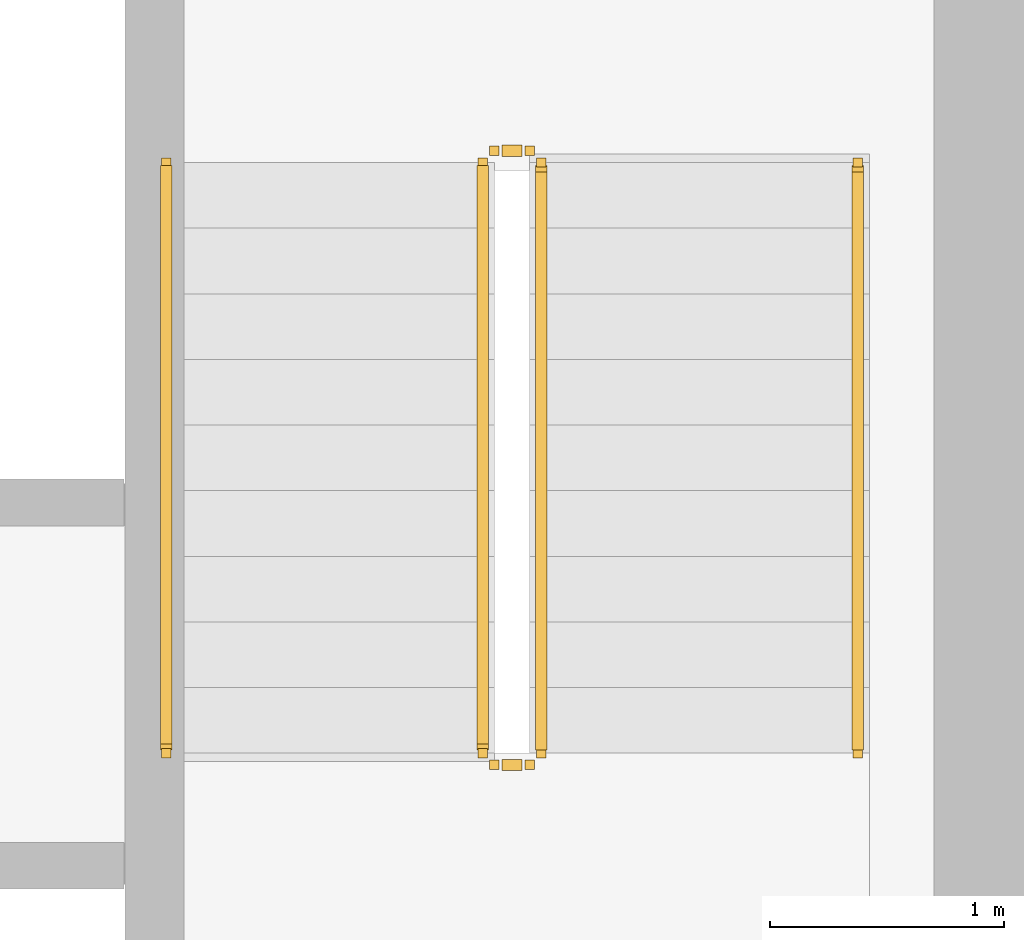
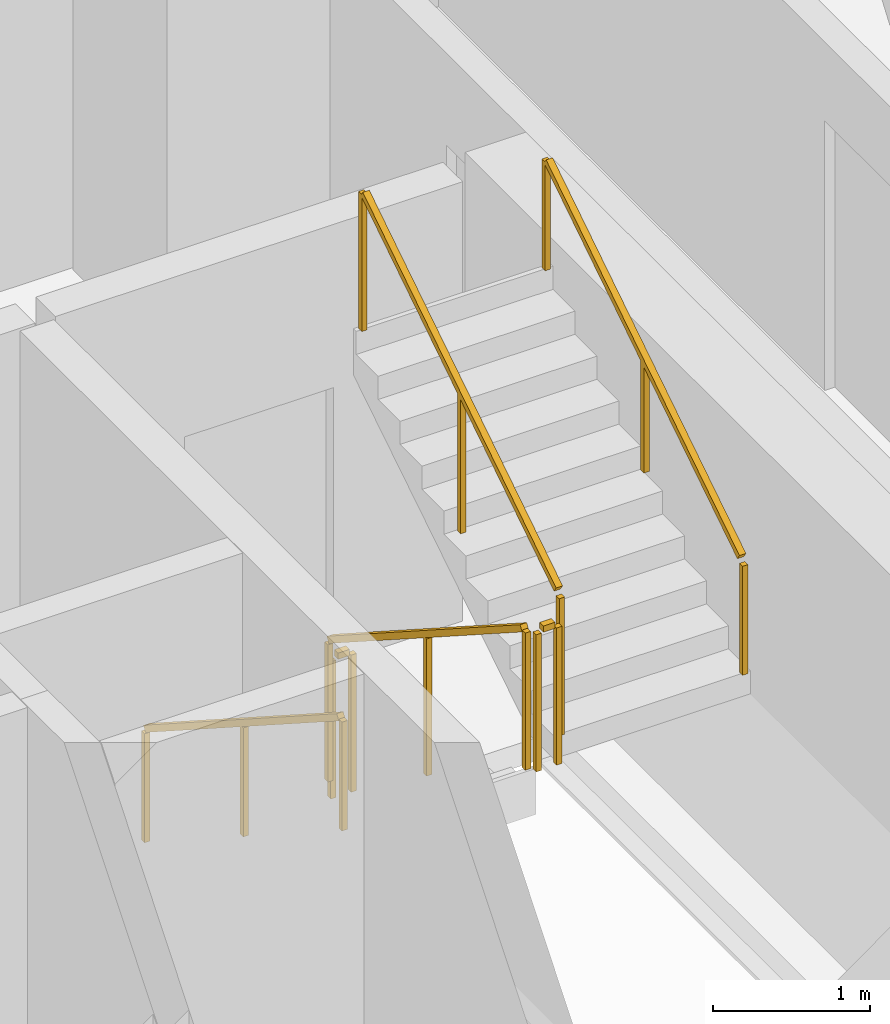
# One storey, part 16 of 17: 6 railings.
"""IFC4 building model written with IfcOpenShell, lengths in metres."""

import ifcopenshell
import ifcopenshell.guid

model = None  # the IFC model being written
_history = None  # IfcOwnerHistory: only IFC2X3 demands one
_inside = {}  # id of a spatial element -> (the spatial element, [elements in it])
_under = {}  # id of a project, library or spatial element -> (it, [spatial elements below it])
_declared = {}  # id of a project -> (the project, [libraries it declares])
_typed = {}  # id of a type object -> (the type object, [elements of that type])
_made_of = {}  # id of a material, layer set ... -> (it, [elements and type objects made of it])


def new_model(schema):
    """Start an empty IFC model of exactly this schema.

    Asked for "IFC4X3", IfcOpenShell would pick the latest addendum, in which some entities
    have other attributes; the version numbers below select the first issue.
    IFC2X3 requires an IfcOwnerHistory on every rooted entity: one is made here for all.
    """
    global model, _history
    if schema == "IFC4X3":
        model = ifcopenshell.file(schema_version=(4, 3, 0, 0))
    else:
        model = ifcopenshell.file(schema=schema)
    _inside.clear()
    _under.clear()
    _declared.clear()
    _typed.clear()
    _made_of.clear()
    _history = None
    if model.schema == "IFC2X3":
        org = make("IfcOrganization", Name="unknown")
        user = make(
            "IfcPersonAndOrganization",
            ThePerson=make("IfcPerson", FamilyName="unknown"),
            TheOrganization=org,
        )
        app = make(
            "IfcApplication",
            ApplicationDeveloper=org,
            Version="unknown",
            ApplicationFullName="unknown",
            ApplicationIdentifier="unknown",
        )
        _history = make(
            "IfcOwnerHistory",
            OwningUser=user,
            OwningApplication=app,
            ChangeAction="ADDED",
            CreationDate=0,
        )
    return model


def make(cls, **values):
    """One entity of the class cls with the attributes given. An attribute that is None is left unset."""
    return model.create_entity(
        cls, **{name: value for name, value in values.items() if value is not None}
    )


def rooted(cls, **values):
    """An entity with a GlobalId (a new one), such as an element, a storey or a relation."""
    return make(cls, GlobalId=ifcopenshell.guid.new(), OwnerHistory=_history, **values)


def si_unit(unit_type, name, prefix=None):
    """IfcSIUnit, for example si_unit("LENGTHUNIT", "METRE", prefix="MILLI")."""
    return make("IfcSIUnit", UnitType=unit_type, Prefix=prefix, Name=name)


def assignment(units):
    """IfcUnitAssignment: the units of a project."""
    return None if units is None else make("IfcUnitAssignment", Units=units)


def point(xyz):
    """IfcCartesianPoint."""
    return None if xyz is None else make("IfcCartesianPoint", Coordinates=xyz)


def direction(xyz):
    """IfcDirection."""
    return None if xyz is None else make("IfcDirection", DirectionRatios=xyz)


def frame(location, z_axis=None, x_axis=None):
    """IfcAxis2Placement3D, a coordinate frame: its origin and axes. An axis left out is left unset."""
    return make(
        "IfcAxis2Placement3D",
        Location=point(location),
        Axis=direction(z_axis),
        RefDirection=direction(x_axis),
    )


def frame_2d(location, x_axis=None):
    """IfcAxis2Placement2D, a coordinate frame in the plane: its origin and x axis."""
    return make(
        "IfcAxis2Placement2D", Location=point(location), RefDirection=direction(x_axis)
    )


def origin():
    """The frame at (0, 0, 0) with its axes left unset."""
    return frame((0.0, 0.0, 0.0))


def origin_2d():
    """The frame at (0, 0) in the plane with its x axis left unset."""
    return frame_2d((0.0, 0.0))


def place(relative_to, where):
    """IfcLocalPlacement: puts the frame where relative to a parent placement (None: the world)."""
    return make(
        "IfcLocalPlacement", PlacementRelTo=relative_to, RelativePlacement=where
    )


def context(
    kind, dimensions, precision=None, world=None, true_north=None, identifier=None
):
    """IfcGeometricRepresentationContext, for example the 3D "Model" context."""
    return make(
        "IfcGeometricRepresentationContext",
        ContextIdentifier=identifier,
        ContextType=kind,
        CoordinateSpaceDimension=dimensions,
        Precision=precision,
        WorldCoordinateSystem=world,
        TrueNorth=true_north,
    )


def subcontext(parent, identifier, kind, view, scale=None):
    """IfcGeometricRepresentationSubContext, for example "Body" below "Model"."""
    return make(
        "IfcGeometricRepresentationSubContext",
        ContextIdentifier=identifier,
        ContextType=kind,
        ParentContext=parent,
        TargetScale=scale,
        TargetView=view,
    )


def project(units=None, contexts=None):
    """IfcProject with its units and contexts."""
    return rooted(
        "IfcProject",
        Name="project",
        RepresentationContexts=contexts,
        UnitsInContext=assignment(units),
    )


def spatial(cls, under=None, at=None, **own):
    """A site, building, storey or space (cls), placed at a placement, below another one or the project."""
    s = rooted(cls, ObjectPlacement=at, **own)
    if under is not None:
        _under.setdefault(under.id(), (under, []))[1].append(s)
    return s


def profile(cls, at=None, kind="AREA", **sizes):
    """A parametric profile (cls). Its sizes go by their IFC names, for example OverallWidth=200.0."""
    return make(cls, ProfileType=kind, Position=at, **sizes)


def rectangle(**sizes):
    """IfcRectangleProfileDef."""
    return profile("IfcRectangleProfileDef", **sizes)


def extrude(swept, where, along, depth):
    """IfcExtrudedAreaSolid: the profile swept, set in the frame where, extruded along a direction by depth."""
    return make(
        "IfcExtrudedAreaSolid",
        SweptArea=swept,
        Position=where,
        ExtrudedDirection=direction(along),
        Depth=depth,
    )


def shape(context_of_items, identifier, shape_type, items):
    """IfcShapeRepresentation: the items that make up one representation, for example the "Body"."""
    return make(
        "IfcShapeRepresentation",
        ContextOfItems=context_of_items,
        RepresentationIdentifier=identifier,
        RepresentationType=shape_type,
        Items=items,
    )


def material(Name=None, Category=None):
    """IfcMaterial."""
    return make("IfcMaterial", Name=Name, Category=Category)


def made_of(thing, what):
    """Note that an element or type object is made of a material, layer set ...; save() writes the relation."""
    if what is not None:
        _made_of.setdefault(what.id(), (what, []))[1].append(thing)
    return thing


def type_object(cls, material=None, **own):
    """A type object (cls), such as IfcWallType, which elements share."""
    return made_of(rooted(cls, **own), material)


def element(
    cls,
    number,
    at=None,
    inside=None,
    cuts=None,
    type_object=None,
    material=None,
    context=None,
    identifier="Body",
    shape_type=None,
    held_by="IfcProductDefinitionShape",
    body=None,
    shapes=None,
    **own,
):
    """One element of the class cls, such as IfcWall. Its Tag is "e" and its number.

    at: its placement. inside: the storey or other place that contains it. cuts: it is an
    opening in that element (IfcRelVoidsElement). A single representation is given by context,
    identifier, shape_type and body (its items); several are given by shapes. held_by: the class
    of the entity that holds the representations. save() writes the other relations.
    """
    e = rooted(cls, Tag="e%d" % number, ObjectPlacement=at, **own)
    if body is not None:
        shapes = [shape(context, identifier, shape_type, body)]
    if shapes is not None:
        e.Representation = make(held_by, Representations=shapes)
    if inside is not None:
        _inside.setdefault(inside.id(), (inside, []))[1].append(e)
    if cuts is not None:
        rooted(
            "IfcRelVoidsElement", RelatingBuildingElement=cuts, RelatedOpeningElement=e
        )
    if type_object is not None:
        _typed.setdefault(type_object.id(), (type_object, []))[1].append(e)
    return made_of(e, material)


def aggregate(whole, parts):
    """IfcRelAggregates: a whole, such as a stair, and the parts it consists of."""
    return rooted("IfcRelAggregates", RelatingObject=whole, RelatedObjects=parts)


def save(model, path):
    """Write the relations noted so far, then the file.

    IfcRelAggregates (storeys below a building ...), IfcRelContainedInSpatialStructure (elements
    in a storey), IfcRelDefinesByType, IfcRelAssociatesMaterial and IfcRelDeclares: one each for
    every whole, place, type object, material and project.
    """
    for whole, parts in _under.values():
        aggregate(whole, parts)
    for where, things in _inside.values():
        rooted(
            "IfcRelContainedInSpatialStructure",
            RelatedElements=things,
            RelatingStructure=where,
        )
    for kind, things in _typed.values():
        rooted("IfcRelDefinesByType", RelatedObjects=things, RelatingType=kind)
    for what, things in _made_of.values():
        rooted("IfcRelAssociatesMaterial", RelatedObjects=things, RelatingMaterial=what)
    for by, libraries in _declared.values():
        rooted("IfcRelDeclares", RelatingContext=by, RelatedDefinitions=libraries)
    model.write(path)


model = new_model("IFC4")

# Units and contexts
model_context = context("Model", 3, precision=1e-05, world=origin(), true_north=direction((0.0, 1.0)))
body_context = subcontext(model_context, "Body", "Model", "MODEL_VIEW")
ifc_project = project(units=[si_unit("LENGTHUNIT", "METRE"), si_unit("AREAUNIT", "SQUARE_METRE"), si_unit("VOLUMEUNIT", "CUBIC_METRE"), si_unit("PLANEANGLEUNIT", "RADIAN"), si_unit("MASSUNIT", "GRAM", prefix="KILO")], contexts=[model_context])

# Site, building, storey
site_placement = place(None, origin())
site = spatial("IfcSite", under=ifc_project, at=site_placement, CompositionType="ELEMENT")
building_placement = place(site_placement, origin())
building = spatial("IfcBuilding", under=site, at=building_placement, Name="Tharavind Bronze Gate", CompositionType="ELEMENT")
storey_placement = place(building_placement, frame((0.0, 0.0, 184.89990234375)))
storey = spatial("IfcBuildingStorey", under=building, at=storey_placement, Name="L47", CompositionType="ELEMENT", Elevation=184.89990234375)

# Railings
ifc_material = material(Name="Brushed Bronze Alloy", Category="metal")
railing_type_1 = type_object("IfcRailingType", Name="STAIR BRONZE HANDRAIL 900", PredefinedType="HANDRAIL", material=ifc_material)
railing_1_placement = place(storey_placement, frame((5.39990234375, 2.25, 0.18017578125)))
element("IfcRailing", 1, at=railing_1_placement, inside=storey, type_object=railing_type_1, Name="L47 ST2 stair handrail 1", PredefinedType="HANDRAIL", context=body_context, shape_type="SweptSolid", body=[
    extrude(rectangle(XDim=0.048095703125, YDim=0.048095703125, at=origin_2d()), frame((0.0, -0.02685546875, 0.89306640625), z_axis=(0.0, -0.841199657755, 0.540724639528), x_axis=(1.0, 0.0, 0.0)), (0.0, 0.0, 1.0), 2.931640625),
    extrude(rectangle(XDim=0.0400390625, YDim=0.0400390625, at=origin_2d()), origin(), (0.0, 0.0, 1.0), 0.847900390625),
    extrude(rectangle(XDim=0.0400390625, YDim=0.0400390625, at=origin_2d()), frame((0.0, -1.260009765625, 0.81005859375)), (0.0, 0.0, 1.0), 0.847900390625),
    extrude(rectangle(XDim=0.0400390625, YDim=0.0400390625, at=origin_2d()), frame((0.0, -2.52001953125, 1.619873046875)), (0.0, 0.0, 1.0), 0.847900390625),
])
railing_2_placement = place(storey_placement, frame((8.35009765625, -0.27001953125, 1.97998046875)))
element("IfcRailing", 2, at=railing_2_placement, inside=storey, type_object=railing_type_1, Name="L47 ST2 stair handrail 2", PredefinedType="HANDRAIL", context=body_context, shape_type="SweptSolid", body=[
    extrude(rectangle(XDim=0.048095703125, YDim=0.048095703125, at=origin_2d()), frame((0.0, 0.02685546875, 0.89306640625), z_axis=(0.0, 0.841162588446, 0.540782303519), x_axis=(-1.0, 0.0, 0.0)), (0.0, 0.0, 1.0), 2.931884765625),
    extrude(rectangle(XDim=0.0400390625, YDim=0.0400390625, at=origin_2d()), origin(), (0.0, 0.0, 1.0), 0.847900390625),
    extrude(rectangle(XDim=0.0400390625, YDim=0.0400390625, at=origin_2d()), frame((0.0, 1.260009765625, 0.81005859375)), (0.0, 0.0, 1.0), 0.847900390625),
    extrude(rectangle(XDim=0.0400390625, YDim=0.0400390625, at=origin_2d()), frame((0.0, 2.52001953125, 1.6201171875)), (0.0, 0.0, 1.0), 0.847900390625),
])
railing_type_2 = type_object("IfcRailingType", Name="STAIR WELL GUARD RAILING 1120", PredefinedType="GUARDRAIL", material=ifc_material)
railing_3_placement = place(storey_placement, frame((6.75, 2.25, 0.18017578125)))
element("IfcRailing", 3, at=railing_3_placement, inside=storey, type_object=railing_type_2, Name="L47 ST2 stair guard 1", PredefinedType="GUARDRAIL", context=body_context, shape_type="SweptSolid", body=[
    extrude(rectangle(XDim=0.048095703125, YDim=0.048095703125, at=origin_2d()), frame((0.0, -0.02685546875, 1.11328125), z_axis=(0.0, -0.841199657755, 0.540724639528), x_axis=(1.0, 0.0, 0.0)), (0.0, 0.0, 1.0), 2.931640625),
    extrude(rectangle(XDim=0.0400390625, YDim=0.0400390625, at=origin_2d()), origin(), (0.0, 0.0, 1.0), 1.068115234375),
    extrude(rectangle(XDim=0.0400390625, YDim=0.0400390625, at=origin_2d()), frame((0.0, -1.260009765625, 0.81005859375)), (0.0, 0.0, 1.0), 1.068115234375),
    extrude(rectangle(XDim=0.0400390625, YDim=0.0400390625, at=origin_2d()), frame((0.0, -2.52001953125, 1.619873046875)), (0.0, 0.0, 1.0), 1.068115234375),
])
railing_4_placement = place(storey_placement, frame((6.800048828125, -0.320068359375, 1.800048828125)))
element("IfcRailing", 4, at=railing_4_placement, inside=storey, type_object=railing_type_2, Name="L47 ST2 stair guard 2", PredefinedType="GUARDRAIL", context=body_context, shape_type="SweptSolid", body=[
    extrude(rectangle(XDim=0.048095703125, YDim=0.048095703125, at=origin_2d()), frame((0.031982421875, 0.0, 1.09619140625), z_axis=(1.0, 0.0, 0.0), x_axis=(0.0, 1.0, 0.0)), (0.0, 0.0, 1.0), 0.0859375),
    extrude(rectangle(XDim=0.0400390625, YDim=0.0400390625, at=origin_2d()), origin(), (0.0, 0.0, 1.0), 1.068115234375),
    extrude(rectangle(XDim=0.0400390625, YDim=0.0400390625, at=origin_2d()), frame((0.14990234375, 0.0, 0.0)), (0.0, 0.0, 1.0), 1.068115234375),
])
railing_5_placement = place(storey_placement, frame((7.0, -0.27001953125, 1.97998046875)))
element("IfcRailing", 5, at=railing_5_placement, inside=storey, type_object=railing_type_2, Name="L47 ST2 stair guard 3", PredefinedType="GUARDRAIL", context=body_context, shape_type="SweptSolid", body=[
    extrude(rectangle(XDim=0.048095703125, YDim=0.048095703125, at=origin_2d()), frame((0.0, 0.02685546875, 1.11328125), z_axis=(0.0, 0.841162588446, 0.540782303519), x_axis=(-1.0, 0.0, 0.0)), (0.0, 0.0, 1.0), 2.931884765625),
    extrude(rectangle(XDim=0.0400390625, YDim=0.0400390625, at=origin_2d()), origin(), (0.0, 0.0, 1.0), 1.068115234375),
    extrude(rectangle(XDim=0.0400390625, YDim=0.0400390625, at=origin_2d()), frame((0.0, 1.260009765625, 0.81005859375)), (0.0, 0.0, 1.0), 1.068115234375),
    extrude(rectangle(XDim=0.0400390625, YDim=0.0400390625, at=origin_2d()), frame((0.0, 2.52001953125, 1.6201171875)), (0.0, 0.0, 1.0), 1.068115234375),
])
railing_6_placement = place(storey_placement, frame((6.800048828125, 2.300048828125, 0.0)))
element("IfcRailing", 6, at=railing_6_placement, inside=storey, type_object=railing_type_2, Name="L47 ST2 stair guard 4", PredefinedType="GUARDRAIL", context=body_context, shape_type="SweptSolid", body=[
    extrude(rectangle(XDim=0.048095703125, YDim=0.048095703125, at=origin_2d()), frame((0.031982421875, 0.0, 1.09619140625), z_axis=(1.0, 0.0, 0.0), x_axis=(0.0, 1.0, 0.0)), (0.0, 0.0, 1.0), 0.0859375),
    extrude(rectangle(XDim=0.0400390625, YDim=0.0400390625, at=origin_2d()), origin(), (0.0, 0.0, 1.0), 1.068115234375),
    extrude(rectangle(XDim=0.0400390625, YDim=0.0400390625, at=origin_2d()), frame((0.14990234375, 0.0, 0.0)), (0.0, 0.0, 1.0), 1.068115234375),
])

save(model, "model.ifc")
